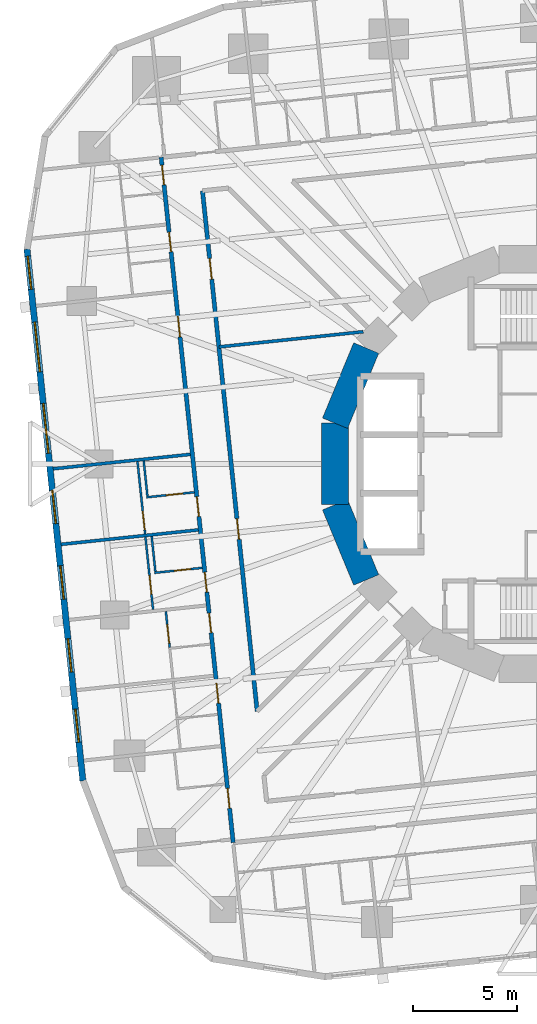
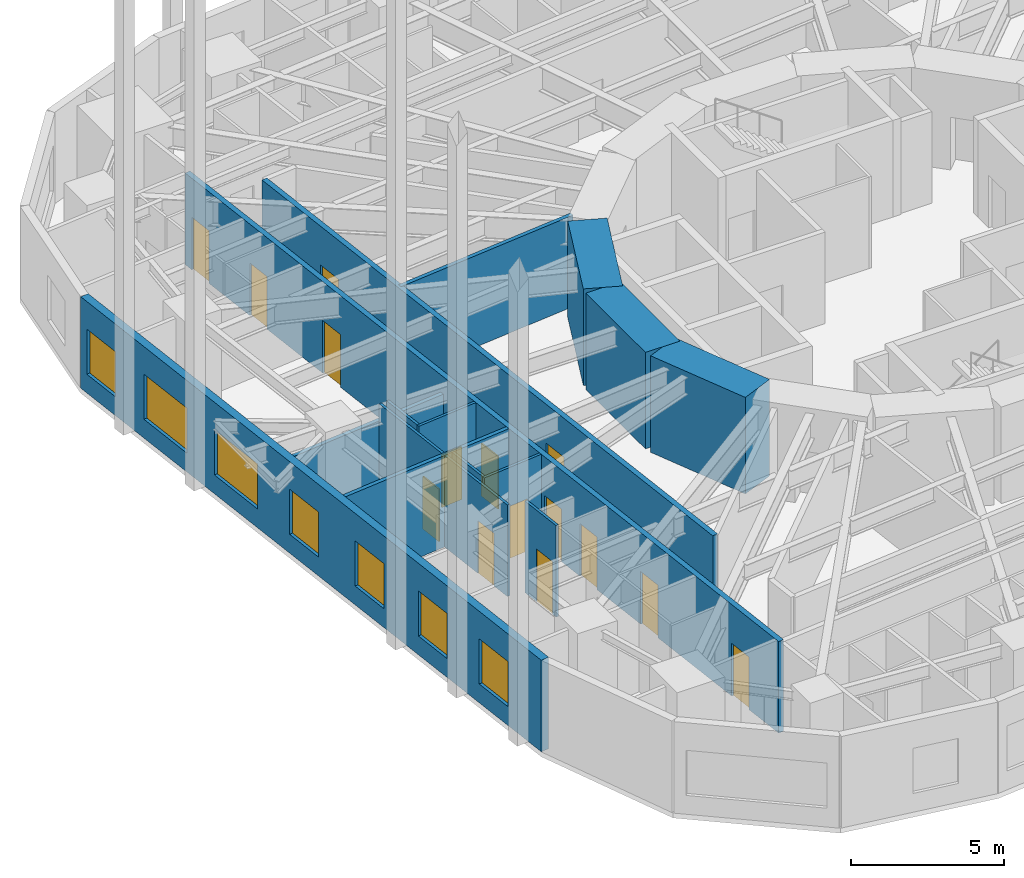
# One storey, part 6 of 13: 16 walls, 15 doors, 7 windows, 22 openings.
"""IFC4 building model written with IfcOpenShell, lengths in metres."""

from ifc_helpers import new_model, si_unit, direction, frame, frame_2d, origin, place, context, subcontext, project, spatial, rectangle, extrude, material, layer, layer_set, type_object, element, fill, save


model = new_model("IFC4")

# Units and contexts
model_context = context("Model", 3, precision=1e-05, world=origin(), true_north=direction((0.0, 1.0)))
body_context = subcontext(model_context, "Body", "Model", "MODEL_VIEW")
ifc_project = project(units=[si_unit("LENGTHUNIT", "METRE"), si_unit("AREAUNIT", "SQUARE_METRE"), si_unit("VOLUMEUNIT", "CUBIC_METRE"), si_unit("PLANEANGLEUNIT", "RADIAN"), si_unit("MASSUNIT", "GRAM", prefix="KILO")], contexts=[model_context])

# Site, building, storey
site_placement = place(None, origin())
site = spatial("IfcSite", under=ifc_project, at=site_placement, CompositionType="ELEMENT")
building_placement = place(site_placement, origin())
building = spatial("IfcBuilding", under=site, at=building_placement, Name="Nakasero Lantern House", CompositionType="ELEMENT")
storey_placement = place(building_placement, frame((0.0, 0.0, 60.5)))
storey = spatial("IfcBuildingStorey", under=building, at=storey_placement, Name="L14", CompositionType="ELEMENT", Elevation=60.5)

# Walls
ifc_material_1 = material(Name="Concrete C50/60", Category="concrete")
ifc_layer_1 = layer(ifc_material_1, 1.300048828125)
ifc_layer_set_1 = layer_set([ifc_layer_1], Name="Core wall 1300")
wall_type_1 = type_object("IfcWallType", Name="Core wall 1300", PredefinedType="SHEAR", material=ifc_layer_set_1)
for number, where, z_axis, x_axis, name in (
    (1, (-8.314697265625, 5.5556640625, 0.0), (0.0, 0.0, 1.0), (-0.382690736062, -0.923876507187, 0.0), "Core wall L14 facet 7"),
    (2, (-9.807861328125, 1.950927734375, 0.0), (0.0, 0.0, 1.0), (0.0, -1.0, 0.0), "Core wall L14 facet 8"),
    (3, (-9.807861328125, -1.950927734375, 0.0), (0.0, 0.0, 1.0), (0.382690736062, -0.923876507187, 0.0), "Core wall L14 facet 9"),
):
    element("IfcWall", number, at=place(storey_placement, frame(where, z_axis=z_axis, x_axis=x_axis)), inside=storey, type_object=wall_type_1, Name=name, PredefinedType="SHEAR", context=body_context, shape_type="SweptSolid", body=[
        extrude(rectangle(XDim=3.90185546875, YDim=1.300048828125, at=frame_2d((1.950927734375, 0.0))), origin(), (0.0, 0.0, 1.0), 3.85009765625),
    ])

# Wall, openings, doors
ifc_material_2 = material(Name="Blockwork", Category="masonry")
ifc_layer_2 = layer(ifc_material_2, 0.199951171875)
ifc_layer_set_2 = layer_set([ifc_layer_2], Name="Corridor wall 200")
wall_type_2 = type_object("IfcWallType", Name="Corridor wall 200", PredefinedType="PARTITIONING", material=ifc_layer_set_2)
wall_1_placement = place(storey_placement, frame((-18.13427734375, 14.684814453125, 0.0), z_axis=(0.0, 0.0, 1.0), x_axis=(0.10452958258, -0.994521777723, 0.0)))
wall_1 = element("IfcWall", 4, at=wall_1_placement, inside=storey, type_object=wall_type_2, Name="Corridor wall L14 CW2", PredefinedType="PARTITIONING", context=body_context, shape_type="SweptSolid", body=[
    extrude(rectangle(XDim=32.999755859375, YDim=0.199951171875, at=frame_2d((16.5, 0.0))), origin(), (0.0, 0.0, 1.0), 3.64990234375),
])
opening_1_placement = place(wall_1_placement, frame((0.375, 0.0, 0.0)))
opening_1 = element("IfcOpeningElement", 5, at=opening_1_placement, cuts=wall_1, Name="Opening D01", PredefinedType="OPENING", context=body_context, shape_type="SweptSolid", body=[
    extrude(rectangle(XDim=0.949951171875, YDim=2.10009765625, at=frame_2d((0.47509765625, 1.050048828125))), frame((0.0, 0.119873046875, 0.0), z_axis=(0.0, -1.0, 0.0), x_axis=(1.0, 0.0, 0.0)), (0.0, 0.0, 1.0), 0.239990234375),
])
opening_2_placement = place(wall_1_placement, frame((3.600341796875, 0.0, 0.0)))
opening_2 = element("IfcOpeningElement", 6, at=opening_2_placement, cuts=wall_1, Name="Opening D01", PredefinedType="OPENING", context=body_context, shape_type="SweptSolid", body=[
    extrude(rectangle(XDim=0.949951171875, YDim=2.10009765625, at=frame_2d((0.47509765625, 1.050048828125))), frame((0.0, 0.119873046875, 0.0), z_axis=(0.0, -1.0, 0.0), x_axis=(1.0, 0.0, 0.0)), (0.0, 0.0, 1.0), 0.239990234375),
])
opening_3_placement = place(wall_1_placement, frame((16.3427734375, 0.0, 0.0)))
opening_3 = element("IfcOpeningElement", 7, at=opening_3_placement, cuts=wall_1, Name="Opening D01", PredefinedType="OPENING", context=body_context, shape_type="SweptSolid", body=[
    extrude(rectangle(XDim=0.949951171875, YDim=2.10009765625, at=frame_2d((0.47509765625, 1.050048828125))), frame((0.0, 0.119873046875, 0.0), z_axis=(0.0, -1.0, 0.0), x_axis=(1.0, 0.0, 0.0)), (0.0, 0.0, 1.0), 0.239990234375),
])
opening_4_placement = place(wall_1_placement, frame((19.9814453125, 0.0, 0.0)))
opening_4 = element("IfcOpeningElement", 8, at=opening_4_placement, cuts=wall_1, Name="Opening D01", PredefinedType="OPENING", context=body_context, shape_type="SweptSolid", body=[
    extrude(rectangle(XDim=0.949951171875, YDim=2.10009765625, at=frame_2d((0.47509765625, 1.050048828125))), frame((0.0, 0.119873046875, 0.0), z_axis=(0.0, -1.0, 0.0), x_axis=(1.0, 0.0, 0.0)), (0.0, 0.0, 1.0), 0.239990234375),
])
opening_5_placement = place(wall_1_placement, frame((21.945068359375, 0.0, 0.0)))
opening_5 = element("IfcOpeningElement", 9, at=opening_5_placement, cuts=wall_1, Name="Opening D01", PredefinedType="OPENING", context=body_context, shape_type="SweptSolid", body=[
    extrude(rectangle(XDim=0.949951171875, YDim=2.10009765625, at=frame_2d((0.47509765625, 1.050048828125))), frame((0.0, 0.119873046875, 0.0), z_axis=(0.0, -1.0, 0.0), x_axis=(1.0, 0.0, 0.0)), (0.0, 0.0, 1.0), 0.239990234375),
])
opening_6_placement = place(wall_1_placement, frame((25.33056640625, 0.0, 0.0)))
opening_6 = element("IfcOpeningElement", 10, at=opening_6_placement, cuts=wall_1, Name="Opening D01", PredefinedType="OPENING", context=body_context, shape_type="SweptSolid", body=[
    extrude(rectangle(XDim=0.949951171875, YDim=2.10009765625, at=frame_2d((0.47509765625, 1.050048828125))), frame((0.0, 0.119873046875, 0.0), z_axis=(0.0, -1.0, 0.0), x_axis=(1.0, 0.0, 0.0)), (0.0, 0.0, 1.0), 0.239990234375),
])
opening_7_placement = place(wall_1_placement, frame((30.39111328125, 0.0, 0.0)))
opening_7 = element("IfcOpeningElement", 11, at=opening_7_placement, cuts=wall_1, Name="Opening D01", PredefinedType="OPENING", context=body_context, shape_type="SweptSolid", body=[
    extrude(rectangle(XDim=0.949951171875, YDim=2.10009765625, at=frame_2d((0.47509765625, 1.050048828125))), frame((0.0, 0.119873046875, 0.0), z_axis=(0.0, -1.0, 0.0), x_axis=(1.0, 0.0, 0.0)), (0.0, 0.0, 1.0), 0.239990234375),
])
opening_8_placement = place(wall_1_placement, frame((7.650634765625, 0.0, 0.0)))
opening_8 = element("IfcOpeningElement", 12, at=opening_8_placement, cuts=wall_1, Name="Opening D03", PredefinedType="OPENING", context=body_context, shape_type="SweptSolid", body=[
    extrude(rectangle(XDim=1.0, YDim=2.10009765625, at=frame_2d((0.5, 1.050048828125))), frame((0.0, 0.119873046875, 0.0), z_axis=(0.0, -1.0, 0.0), x_axis=(1.0, 0.0, 0.0)), (0.0, 0.0, 1.0), 0.239990234375),
])
ifc_material_3 = material(Name="Timber C24", Category="wood")
door_type_1 = type_object("IfcDoorType", Name="Bedroom door FD30S 950", OperationType="SINGLE_SWING_LEFT", PredefinedType="DOOR", material=ifc_material_3)
door_1_placement = place(opening_1_placement, origin())
door_1 = element("IfcDoor", 13, at=door_1_placement, inside=storey, type_object=door_type_1, Name="Door L14 D2-00", OperationType="SINGLE_SWING_LEFT", OverallHeight=2.10009765625, OverallWidth=0.949951171875, PredefinedType="DOOR", context=body_context, shape_type="SweptSolid", body=[
    extrude(rectangle(XDim=0.949951171875, YDim=2.10009765625, at=frame_2d((0.47509765625, 1.050048828125))), frame((0.0, 0.02490234375, 0.0), z_axis=(0.0, -1.0, 0.0), x_axis=(1.0, 0.0, 0.0)), (0.0, 0.0, 1.0), 0.050048828125),
])
fill(opening_1, door_1)
door_2_placement = place(opening_2_placement, origin())
door_2 = element("IfcDoor", 14, at=door_2_placement, inside=storey, type_object=door_type_1, Name="Door L14 D2-01", OperationType="SINGLE_SWING_LEFT", OverallHeight=2.10009765625, OverallWidth=0.949951171875, PredefinedType="DOOR", context=body_context, shape_type="SweptSolid", body=[
    extrude(rectangle(XDim=0.949951171875, YDim=2.10009765625, at=frame_2d((0.47509765625, 1.050048828125))), frame((0.0, 0.02490234375, 0.0), z_axis=(0.0, -1.0, 0.0), x_axis=(1.0, 0.0, 0.0)), (0.0, 0.0, 1.0), 0.050048828125),
])
fill(opening_2, door_2)
door_3_placement = place(opening_3_placement, origin())
door_3 = element("IfcDoor", 15, at=door_3_placement, inside=storey, type_object=door_type_1, Name="Door L14 D2-04", OperationType="SINGLE_SWING_RIGHT", OverallHeight=2.10009765625, OverallWidth=0.949951171875, PredefinedType="DOOR", context=body_context, shape_type="SweptSolid", body=[
    extrude(rectangle(XDim=0.949951171875, YDim=2.10009765625, at=frame_2d((0.47509765625, 1.050048828125))), frame((0.0, 0.02490234375, 0.0), z_axis=(0.0, -1.0, 0.0), x_axis=(1.0, 0.0, 0.0)), (0.0, 0.0, 1.0), 0.050048828125),
])
fill(opening_3, door_3)
door_4_placement = place(opening_4_placement, origin())
door_4 = element("IfcDoor", 16, at=door_4_placement, inside=storey, type_object=door_type_1, Name="Door L14 D2-05", OperationType="SINGLE_SWING_RIGHT", OverallHeight=2.10009765625, OverallWidth=0.949951171875, PredefinedType="DOOR", context=body_context, shape_type="SweptSolid", body=[
    extrude(rectangle(XDim=0.949951171875, YDim=2.10009765625, at=frame_2d((0.47509765625, 1.050048828125))), frame((0.0, 0.02490234375, 0.0), z_axis=(0.0, -1.0, 0.0), x_axis=(1.0, 0.0, 0.0)), (0.0, 0.0, 1.0), 0.050048828125),
])
fill(opening_4, door_4)
door_5_placement = place(opening_5_placement, origin())
door_5 = element("IfcDoor", 17, at=door_5_placement, inside=storey, type_object=door_type_1, Name="Door L14 D2-06", OperationType="SINGLE_SWING_RIGHT", OverallHeight=2.10009765625, OverallWidth=0.949951171875, PredefinedType="DOOR", context=body_context, shape_type="SweptSolid", body=[
    extrude(rectangle(XDim=0.949951171875, YDim=2.10009765625, at=frame_2d((0.47509765625, 1.050048828125))), frame((0.0, 0.02490234375, 0.0), z_axis=(0.0, -1.0, 0.0), x_axis=(1.0, 0.0, 0.0)), (0.0, 0.0, 1.0), 0.050048828125),
])
fill(opening_5, door_5)
door_6_placement = place(opening_6_placement, origin())
door_6 = element("IfcDoor", 18, at=door_6_placement, inside=storey, type_object=door_type_1, Name="Door L14 D2-07", OperationType="SINGLE_SWING_RIGHT", OverallHeight=2.10009765625, OverallWidth=0.949951171875, PredefinedType="DOOR", context=body_context, shape_type="SweptSolid", body=[
    extrude(rectangle(XDim=0.949951171875, YDim=2.10009765625, at=frame_2d((0.47509765625, 1.050048828125))), frame((0.0, 0.02490234375, 0.0), z_axis=(0.0, -1.0, 0.0), x_axis=(1.0, 0.0, 0.0)), (0.0, 0.0, 1.0), 0.050048828125),
])
fill(opening_6, door_6)
door_7_placement = place(opening_7_placement, origin())
door_7 = element("IfcDoor", 19, at=door_7_placement, inside=storey, type_object=door_type_1, Name="Door L14 D2-08", OperationType="SINGLE_SWING_RIGHT", OverallHeight=2.10009765625, OverallWidth=0.949951171875, PredefinedType="DOOR", context=body_context, shape_type="SweptSolid", body=[
    extrude(rectangle(XDim=0.949951171875, YDim=2.10009765625, at=frame_2d((0.47509765625, 1.050048828125))), frame((0.0, 0.02490234375, 0.0), z_axis=(0.0, -1.0, 0.0), x_axis=(1.0, 0.0, 0.0)), (0.0, 0.0, 1.0), 0.050048828125),
])
fill(opening_7, door_7)
ifc_material_4 = material(Name="Timber C24", Category="wood")
door_type_2 = type_object("IfcDoorType", Name="Lounge door FD30S 1000", OperationType="SINGLE_SWING_LEFT", PredefinedType="DOOR", material=ifc_material_4)
door_8_placement = place(opening_8_placement, origin())
door_8 = element("IfcDoor", 20, at=door_8_placement, inside=storey, type_object=door_type_2, Name="Door L14 DK2", OperationType="SINGLE_SWING_LEFT", OverallHeight=2.10009765625, OverallWidth=1.0, PredefinedType="DOOR", context=body_context, shape_type="SweptSolid", body=[
    extrude(rectangle(XDim=1.0, YDim=2.10009765625, at=frame_2d((0.5, 1.050048828125))), frame((0.0, 0.02490234375, 0.0), z_axis=(0.0, -1.0, 0.0), x_axis=(1.0, 0.0, 0.0)), (0.0, 0.0, 1.0), 0.050048828125),
])
fill(opening_8, door_8)

wall_2_placement = place(storey_placement, frame((-16.156005859375, 13.0830078125, 0.0), z_axis=(0.0, 0.0, 1.0), x_axis=(0.104525036292, -0.994522255552, 0.0)))
wall_2 = element("IfcWall", 21, at=wall_2_placement, inside=storey, type_object=wall_type_2, Name="Corridor wall L14 IW2-0", PredefinedType="PARTITIONING", context=body_context, shape_type="SweptSolid", body=[
    extrude(rectangle(XDim=25.059814453125, YDim=0.199951171875, at=frame_2d((12.52978515625, 0.0))), origin(), (0.0, 0.0, 1.0), 3.64990234375),
])
opening_9_placement = place(wall_2_placement, frame((3.259033203125, 0.0, 0.0)))
opening_9 = element("IfcOpeningElement", 22, at=opening_9_placement, cuts=wall_2, Name="Opening D07", PredefinedType="OPENING", context=body_context, shape_type="SweptSolid", body=[
    extrude(rectangle(XDim=1.0, YDim=2.10009765625, at=frame_2d((0.5, 1.050048828125))), frame((0.0, 0.119873046875, 0.0), z_axis=(0.0, -1.0, 0.0), x_axis=(1.0, 0.0, 0.0)), (0.0, 0.0, 1.0), 0.239990234375),
])
opening_10_placement = place(wall_2_placement, frame((15.788818359375, 0.0, 0.0)))
opening_10 = element("IfcOpeningElement", 23, at=opening_10_placement, cuts=wall_2, Name="Opening D07", PredefinedType="OPENING", context=body_context, shape_type="SweptSolid", body=[
    extrude(rectangle(XDim=1.0, YDim=2.10009765625, at=frame_2d((0.5, 1.050048828125))), frame((0.0, 0.119873046875, 0.0), z_axis=(0.0, -1.0, 0.0), x_axis=(1.0, 0.0, 0.0)), (0.0, 0.0, 1.0), 0.239990234375),
])
ifc_material_5 = material(Name="Timber C24", Category="wood")
door_type_3 = type_object("IfcDoorType", Name="Room door FD30S 1000", OperationType="SINGLE_SWING_LEFT", PredefinedType="DOOR", material=ifc_material_5)
door_9_placement = place(opening_9_placement, origin())
door_9 = element("IfcDoor", 24, at=door_9_placement, inside=storey, type_object=door_type_3, Name="Door L14 DI1", OperationType="SINGLE_SWING_LEFT", OverallHeight=2.10009765625, OverallWidth=1.0, PredefinedType="DOOR", context=body_context, shape_type="SweptSolid", body=[
    extrude(rectangle(XDim=1.0, YDim=2.10009765625, at=frame_2d((0.5, 1.050048828125))), frame((0.0, 0.02490234375, 0.0), z_axis=(0.0, -1.0, 0.0), x_axis=(1.0, 0.0, 0.0)), (0.0, 0.0, 1.0), 0.050048828125),
])
fill(opening_9, door_9)
door_10_placement = place(opening_10_placement, origin())
door_10 = element("IfcDoor", 25, at=door_10_placement, inside=storey, type_object=door_type_3, Name="Door L14 DI1S", OperationType="SINGLE_SWING_RIGHT", OverallHeight=2.10009765625, OverallWidth=1.0, PredefinedType="DOOR", context=body_context, shape_type="SweptSolid", body=[
    extrude(rectangle(XDim=1.0, YDim=2.10009765625, at=frame_2d((0.5, 1.050048828125))), frame((0.0, 0.02490234375, 0.0), z_axis=(0.0, -1.0, 0.0), x_axis=(1.0, 0.0, 0.0)), (0.0, 0.0, 1.0), 0.050048828125),
])
fill(opening_10, door_10)

# Wall, opening, door
ifc_material_6 = material(Name="Blockwork", Category="masonry")
ifc_layer_3 = layer(ifc_material_6, 0.10009765625)
ifc_layer_set_3 = layer_set([ifc_layer_3], Name="En-suite wall 100")
wall_type_3 = type_object("IfcWallType", Name="En-suite wall 100", PredefinedType="PARTITIONING", material=ifc_layer_set_3)
wall_3_placement = place(storey_placement, frame((-16.549072265625, -1.35498046875, 0.0), z_axis=(0.0, 0.0, 1.0), x_axis=(-0.994518822602, -0.104557694553, 0.0)))
wall_3 = element("IfcWall", 26, at=wall_3_placement, inside=storey, type_object=wall_type_3, Name="En-suite wall L14 ES2-04", PredefinedType="PARTITIONING", context=body_context, shape_type="SweptSolid", body=[
    extrude(rectangle(XDim=2.300048828125, YDim=0.10009765625, at=frame_2d((1.14990234375, 0.0))), origin(), (0.0, 0.0, 1.0), 3.64990234375),
])
opening_11_placement = place(wall_3_placement, frame((0.550048828125, 0.0, 0.0)))
opening_11 = element("IfcOpeningElement", 27, at=opening_11_placement, cuts=wall_3, Name="Opening D02", PredefinedType="OPENING", context=body_context, shape_type="SweptSolid", body=[
    extrude(rectangle(XDim=0.800048828125, YDim=2.10009765625, at=frame_2d((0.39990234375, 1.050048828125))), frame((0.0, 0.070068359375, 0.0), z_axis=(0.0, -1.0, 0.0), x_axis=(1.0, 0.0, 0.0)), (0.0, 0.0, 1.0), 0.14013671875),
])
ifc_material_7 = material(Name="Timber C24", Category="wood")
door_type_4 = type_object("IfcDoorType", Name="En-suite door 800", OperationType="SINGLE_SWING_RIGHT", PredefinedType="DOOR", material=ifc_material_7)
door_11_placement = place(opening_11_placement, origin())
door_11 = element("IfcDoor", 28, at=door_11_placement, inside=storey, type_object=door_type_4, Name="Door L14 DE2-04", OperationType="SINGLE_SWING_LEFT", OverallHeight=2.10009765625, OverallWidth=0.800048828125, PredefinedType="DOOR", context=body_context, shape_type="SweptSolid", body=[
    extrude(rectangle(XDim=0.800048828125, YDim=2.10009765625, at=frame_2d((0.39990234375, 1.050048828125))), frame((0.0, 0.02490234375, 0.0), z_axis=(0.0, -1.0, 0.0), x_axis=(1.0, 0.0, 0.0)), (0.0, 0.0, 1.0), 0.050048828125),
])
fill(opening_11, door_11)

# Wall
wall_4_placement = place(storey_placement, frame((-18.9697265625, 0.150146484375, 0.0), z_axis=(0.0, 0.0, 1.0), x_axis=(0.104550220202, -0.994519608382, 0.0)))
element("IfcWall", 29, at=wall_4_placement, inside=storey, type_object=wall_type_3, Name="En-suite wall L14 EE2-04", PredefinedType="PARTITIONING", context=body_context, shape_type="SweptSolid", body=[
    extrude(rectangle(XDim=1.699951171875, YDim=0.10009765625, at=frame_2d((0.85009765625, 0.0))), origin(), (0.0, 0.0, 1.0), 3.64990234375),
])

# Wall, opening, door
wall_5_placement = place(storey_placement, frame((-16.168701171875, -4.9736328125, 0.0), z_axis=(0.0, 0.0, 1.0), x_axis=(-0.994518822602, -0.104557694553, 0.0)))
wall_5 = element("IfcWall", 30, at=wall_5_placement, inside=storey, type_object=wall_type_3, Name="En-suite wall L14 ES2-05", PredefinedType="PARTITIONING", context=body_context, shape_type="SweptSolid", body=[
    extrude(rectangle(XDim=2.300048828125, YDim=0.10009765625, at=frame_2d((1.14990234375, 0.0))), origin(), (0.0, 0.0, 1.0), 3.64990234375),
])
opening_12_placement = place(wall_5_placement, frame((0.550048828125, 0.0, 0.0)))
opening_12 = element("IfcOpeningElement", 31, at=opening_12_placement, cuts=wall_5, Name="Opening D02", PredefinedType="OPENING", context=body_context, shape_type="SweptSolid", body=[
    extrude(rectangle(XDim=0.800048828125, YDim=2.10009765625, at=frame_2d((0.39990234375, 1.050048828125))), frame((0.0, 0.070068359375, 0.0), z_axis=(0.0, -1.0, 0.0), x_axis=(1.0, 0.0, 0.0)), (0.0, 0.0, 1.0), 0.14013671875),
])
door_12_placement = place(opening_12_placement, origin())
door_12 = element("IfcDoor", 32, at=door_12_placement, inside=storey, type_object=door_type_4, Name="Door L14 DE2-05", OperationType="SINGLE_SWING_LEFT", OverallHeight=2.10009765625, OverallWidth=0.800048828125, PredefinedType="DOOR", context=body_context, shape_type="SweptSolid", body=[
    extrude(rectangle(XDim=0.800048828125, YDim=2.10009765625, at=frame_2d((0.39990234375, 1.050048828125))), frame((0.0, 0.02490234375, 0.0), z_axis=(0.0, -1.0, 0.0), x_axis=(1.0, 0.0, 0.0)), (0.0, 0.0, 1.0), 0.050048828125),
])
fill(opening_12, door_12)

# Wall
wall_6_placement = place(storey_placement, frame((-18.58935546875, -3.468505859375, 0.0), z_axis=(0.0, 0.0, 1.0), x_axis=(0.104550220202, -0.994519608382, 0.0)))
element("IfcWall", 33, at=wall_6_placement, inside=storey, type_object=wall_type_3, Name="En-suite wall L14 EE2-05", PredefinedType="PARTITIONING", context=body_context, shape_type="SweptSolid", body=[
    extrude(rectangle(XDim=1.699951171875, YDim=0.10009765625, at=frame_2d((0.85009765625, 0.0))), origin(), (0.0, 0.0, 1.0), 3.64990234375),
])

# Wall, opening, door
wall_7_placement = place(storey_placement, frame((-19.26806640625, 0.118896484375, 0.0), z_axis=(0.0, 0.0, 1.0), x_axis=(0.104553638592, -0.994519249013, 0.0)))
wall_7 = element("IfcWall", 34, at=wall_7_placement, inside=storey, type_object=wall_type_3, Name="En-suite wall L14 EL2-04", PredefinedType="PARTITIONING", context=body_context, shape_type="SweptSolid", body=[
    extrude(rectangle(XDim=3.488525390625, YDim=0.10009765625, at=frame_2d((1.744140625, 0.0))), origin(), (0.0, 0.0, 1.0), 3.64990234375),
])
opening_13_placement = place(wall_7_placement, frame((2.388671875, 0.0, 0.0)))
opening_13 = element("IfcOpeningElement", 35, at=opening_13_placement, cuts=wall_7, Name="Opening D17", PredefinedType="OPENING", context=body_context, shape_type="SweptSolid", body=[
    extrude(rectangle(XDim=0.89990234375, YDim=2.10009765625, at=frame_2d((0.449951171875, 1.050048828125))), frame((0.0, 0.070068359375, 0.0), z_axis=(0.0, -1.0, 0.0), x_axis=(1.0, 0.0, 0.0)), (0.0, 0.0, 1.0), 0.14013671875),
])
ifc_material_8 = material(Name="Timber C24", Category="wood")
door_type_5 = type_object("IfcDoorType", Name="Bedroom door FD30S 900", OperationType="SINGLE_SWING_LEFT", PredefinedType="DOOR", material=ifc_material_8)
door_13_placement = place(opening_13_placement, origin())
door_13 = element("IfcDoor", 36, at=door_13_placement, inside=storey, type_object=door_type_5, Name="Door L14 DL2-04", OperationType="SINGLE_SWING_RIGHT", OverallHeight=2.10009765625, OverallWidth=0.89990234375, PredefinedType="DOOR", context=body_context, shape_type="SweptSolid", body=[
    extrude(rectangle(XDim=0.89990234375, YDim=2.10009765625, at=frame_2d((0.449951171875, 1.050048828125))), frame((0.0, 0.02490234375, 0.0), z_axis=(0.0, -1.0, 0.0), x_axis=(1.0, 0.0, 0.0)), (0.0, 0.0, 1.0), 0.050048828125),
])
fill(opening_13, door_13)

wall_8_placement = place(storey_placement, frame((-18.8876953125, -3.5, 0.0), z_axis=(0.0, 0.0, 1.0), x_axis=(0.104553638592, -0.994519249013, 0.0)))
wall_8 = element("IfcWall", 37, at=wall_8_placement, inside=storey, type_object=wall_type_3, Name="En-suite wall L14 EL2-05", PredefinedType="PARTITIONING", context=body_context, shape_type="SweptSolid", body=[
    extrude(rectangle(XDim=3.488525390625, YDim=0.10009765625, at=frame_2d((1.744140625, 0.0))), origin(), (0.0, 0.0, 1.0), 3.64990234375),
])
opening_14_placement = place(wall_8_placement, frame((1.85009765625, 0.0, 0.0)))
opening_14 = element("IfcOpeningElement", 38, at=opening_14_placement, cuts=wall_8, Name="Opening D17", PredefinedType="OPENING", context=body_context, shape_type="SweptSolid", body=[
    extrude(rectangle(XDim=0.89990234375, YDim=2.10009765625, at=frame_2d((0.449951171875, 1.050048828125))), frame((0.0, 0.070068359375, 0.0), z_axis=(0.0, -1.0, 0.0), x_axis=(1.0, 0.0, 0.0)), (0.0, 0.0, 1.0), 0.14013671875),
])
door_14_placement = place(opening_14_placement, origin())
door_14 = element("IfcDoor", 39, at=door_14_placement, inside=storey, type_object=door_type_5, Name="Door L14 DL2-05", OperationType="SINGLE_SWING_RIGHT", OverallHeight=2.10009765625, OverallWidth=0.89990234375, PredefinedType="DOOR", context=body_context, shape_type="SweptSolid", body=[
    extrude(rectangle(XDim=0.89990234375, YDim=2.10009765625, at=frame_2d((0.449951171875, 1.050048828125))), frame((0.0, 0.02490234375, 0.0), z_axis=(0.0, -1.0, 0.0), x_axis=(1.0, 0.0, 0.0)), (0.0, 0.0, 1.0), 0.050048828125),
])
fill(opening_14, door_14)

wall_9_placement = place(storey_placement, frame((-17.91064453125, -7.055908203125, 0.0), z_axis=(0.0, 0.0, 1.0), x_axis=(0.10451636674, -0.99452316669, 0.0)))
wall_9 = element("IfcWall", 40, at=wall_9_placement, inside=storey, type_object=wall_type_3, Name="En-suite wall L14 EL2-06", PredefinedType="PARTITIONING", context=body_context, shape_type="SweptSolid", body=[
    extrude(rectangle(XDim=1.735595703125, YDim=0.10009765625, at=frame_2d((0.86767578125, 0.0))), origin(), (0.0, 0.0, 1.0), 3.64990234375),
])
opening_15_placement = place(wall_9_placement, frame((0.635498046875, 0.0, 0.0)))
opening_15 = element("IfcOpeningElement", 41, at=opening_15_placement, cuts=wall_9, Name="Opening D17", PredefinedType="OPENING", context=body_context, shape_type="SweptSolid", body=[
    extrude(rectangle(XDim=0.89990234375, YDim=2.10009765625, at=frame_2d((0.449951171875, 1.050048828125))), frame((0.0, 0.070068359375, 0.0), z_axis=(0.0, -1.0, 0.0), x_axis=(1.0, 0.0, 0.0)), (0.0, 0.0, 1.0), 0.14013671875),
])
door_15_placement = place(opening_15_placement, origin())
door_15 = element("IfcDoor", 42, at=door_15_placement, inside=storey, type_object=door_type_5, Name="Door L14 DL2-06", OperationType="SINGLE_SWING_RIGHT", OverallHeight=2.10009765625, OverallWidth=0.89990234375, PredefinedType="DOOR", context=body_context, shape_type="SweptSolid", body=[
    extrude(rectangle(XDim=0.89990234375, YDim=2.10009765625, at=frame_2d((0.449951171875, 1.050048828125))), frame((0.0, 0.02490234375, 0.0), z_axis=(0.0, -1.0, 0.0), x_axis=(1.0, 0.0, 0.0)), (0.0, 0.0, 1.0), 0.050048828125),
])
fill(opening_15, door_15)

# Wall, openings, windows
ifc_material_9 = material(Name="Aluminium rainscreen on blockwork", Category="masonry")
ifc_layer_4 = layer(ifc_material_9, 0.300048828125)
ifc_layer_set_4 = layer_set([ifc_layer_4], Name="Facade wall 300")
wall_type_4 = type_object("IfcWallType", Name="Facade wall 300", PredefinedType="SOLIDWALL", material=ifc_layer_set_4)
wall_10_placement = place(storey_placement, frame((-24.56005859375, 10.2890625, 0.0), z_axis=(0.0, 0.0, 1.0), x_axis=(0.104532378096, -0.994521483895, 0.0)))
wall_10 = element("IfcWall", 43, at=wall_10_placement, inside=storey, type_object=wall_type_4, Name="Facade wall L14 FW2S", PredefinedType="SOLIDWALL", context=body_context, shape_type="SweptSolid", body=[
    extrude(rectangle(XDim=25.599853515625, YDim=0.300048828125, at=frame_2d((12.7998046875, 0.0))), origin(), (0.0, 0.0, 1.0), 3.64990234375),
])
opening_16_placement = place(wall_10_placement, frame((0.337890625, 0.0, 0.75)))
opening_16 = element("IfcOpeningElement", 44, at=opening_16_placement, cuts=wall_10, Name="Opening W01", PredefinedType="OPENING", context=body_context, shape_type="SweptSolid", body=[
    extrude(rectangle(XDim=1.60009765625, YDim=1.800048828125, at=frame_2d((0.800048828125, 0.89990234375))), frame((0.0, 0.169921875, 0.0), z_axis=(0.0, -1.0, 0.0), x_axis=(1.0, 0.0, 0.0)), (0.0, 0.0, 1.0), 0.340087890625),
])
opening_17_placement = place(wall_10_placement, frame((11.612060546875, 0.0, 0.75)))
opening_17 = element("IfcOpeningElement", 45, at=opening_17_placement, cuts=wall_10, Name="Opening W01", PredefinedType="OPENING", context=body_context, shape_type="SweptSolid", body=[
    extrude(rectangle(XDim=1.60009765625, YDim=1.800048828125, at=frame_2d((0.800048828125, 0.89990234375))), frame((0.0, 0.169921875, 0.0), z_axis=(0.0, -1.0, 0.0), x_axis=(1.0, 0.0, 0.0)), (0.0, 0.0, 1.0), 0.340087890625),
])
opening_18_placement = place(wall_10_placement, frame((15.250732421875, 0.0, 0.75)))
opening_18 = element("IfcOpeningElement", 46, at=opening_18_placement, cuts=wall_10, Name="Opening W01", PredefinedType="OPENING", context=body_context, shape_type="SweptSolid", body=[
    extrude(rectangle(XDim=1.60009765625, YDim=1.800048828125, at=frame_2d((0.800048828125, 0.89990234375))), frame((0.0, 0.169921875, 0.0), z_axis=(0.0, -1.0, 0.0), x_axis=(1.0, 0.0, 0.0)), (0.0, 0.0, 1.0), 0.340087890625),
])
opening_19_placement = place(wall_10_placement, frame((18.7626953125, 0.0, 0.75)))
opening_19 = element("IfcOpeningElement", 47, at=opening_19_placement, cuts=wall_10, Name="Opening W01", PredefinedType="OPENING", context=body_context, shape_type="SweptSolid", body=[
    extrude(rectangle(XDim=1.60009765625, YDim=1.800048828125, at=frame_2d((0.800048828125, 0.89990234375))), frame((0.0, 0.169921875, 0.0), z_axis=(0.0, -1.0, 0.0), x_axis=(1.0, 0.0, 0.0)), (0.0, 0.0, 1.0), 0.340087890625),
])
opening_20_placement = place(wall_10_placement, frame((22.1484375, 0.0, 0.75)))
opening_20 = element("IfcOpeningElement", 48, at=opening_20_placement, cuts=wall_10, Name="Opening W01", PredefinedType="OPENING", context=body_context, shape_type="SweptSolid", body=[
    extrude(rectangle(XDim=1.60009765625, YDim=1.800048828125, at=frame_2d((0.800048828125, 0.89990234375))), frame((0.0, 0.169921875, 0.0), z_axis=(0.0, -1.0, 0.0), x_axis=(1.0, 0.0, 0.0)), (0.0, 0.0, 1.0), 0.340087890625),
])
opening_21_placement = place(wall_10_placement, frame((3.51123046875, 0.0, 0.75)))
opening_21 = element("IfcOpeningElement", 49, at=opening_21_placement, cuts=wall_10, Name="Opening W03", PredefinedType="OPENING", context=body_context, shape_type="SweptSolid", body=[
    extrude(rectangle(XDim=2.39990234375, YDim=1.800048828125, at=frame_2d((1.199951171875, 0.89990234375))), frame((0.0, 0.169921875, 0.0), z_axis=(0.0, -1.0, 0.0), x_axis=(1.0, 0.0, 0.0)), (0.0, 0.0, 1.0), 0.340087890625),
])
opening_22_placement = place(wall_10_placement, frame((7.432373046875, 0.0, 0.75)))
opening_22 = element("IfcOpeningElement", 50, at=opening_22_placement, cuts=wall_10, Name="Opening W03", PredefinedType="OPENING", context=body_context, shape_type="SweptSolid", body=[
    extrude(rectangle(XDim=2.39990234375, YDim=1.800048828125, at=frame_2d((1.199951171875, 0.89990234375))), frame((0.0, 0.169921875, 0.0), z_axis=(0.0, -1.0, 0.0), x_axis=(1.0, 0.0, 0.0)), (0.0, 0.0, 1.0), 0.340087890625),
])
ifc_material_10 = material(Name="Aluminium 6063-T6 and glass", Category="aluminium")
window_type_1 = type_object("IfcWindowType", Name="Bedroom window 1600x1800", PartitioningType="SINGLE_PANEL", PredefinedType="WINDOW", material=ifc_material_10)
window_1_placement = place(opening_16_placement, origin())
window_1 = element("IfcWindow", 51, at=window_1_placement, inside=storey, type_object=window_type_1, Name="Window L14 WN2-01", OverallHeight=1.800048828125, OverallWidth=1.60009765625, PartitioningType="SINGLE_PANEL", PredefinedType="WINDOW", context=body_context, shape_type="SweptSolid", body=[
    extrude(rectangle(XDim=1.60009765625, YDim=1.800048828125, at=frame_2d((0.800048828125, 0.89990234375))), frame((0.0, 0.030029296875, 0.0), z_axis=(0.0, -1.0, 0.0), x_axis=(1.0, 0.0, 0.0)), (0.0, 0.0, 1.0), 0.06005859375),
])
fill(opening_16, window_1)
window_2_placement = place(opening_17_placement, origin())
window_2 = element("IfcWindow", 52, at=window_2_placement, inside=storey, type_object=window_type_1, Name="Window L14 WN2-04", OverallHeight=1.800048828125, OverallWidth=1.60009765625, PartitioningType="SINGLE_PANEL", PredefinedType="WINDOW", context=body_context, shape_type="SweptSolid", body=[
    extrude(rectangle(XDim=1.60009765625, YDim=1.800048828125, at=frame_2d((0.800048828125, 0.89990234375))), frame((0.0, 0.030029296875, 0.0), z_axis=(0.0, -1.0, 0.0), x_axis=(1.0, 0.0, 0.0)), (0.0, 0.0, 1.0), 0.06005859375),
])
fill(opening_17, window_2)
window_3_placement = place(opening_18_placement, origin())
window_3 = element("IfcWindow", 53, at=window_3_placement, inside=storey, type_object=window_type_1, Name="Window L14 WN2-05", OverallHeight=1.800048828125, OverallWidth=1.60009765625, PartitioningType="SINGLE_PANEL", PredefinedType="WINDOW", context=body_context, shape_type="SweptSolid", body=[
    extrude(rectangle(XDim=1.60009765625, YDim=1.800048828125, at=frame_2d((0.800048828125, 0.89990234375))), frame((0.0, 0.030029296875, 0.0), z_axis=(0.0, -1.0, 0.0), x_axis=(1.0, 0.0, 0.0)), (0.0, 0.0, 1.0), 0.06005859375),
])
fill(opening_18, window_3)
window_4_placement = place(opening_19_placement, origin())
window_4 = element("IfcWindow", 54, at=window_4_placement, inside=storey, type_object=window_type_1, Name="Window L14 WN2-06", OverallHeight=1.800048828125, OverallWidth=1.60009765625, PartitioningType="SINGLE_PANEL", PredefinedType="WINDOW", context=body_context, shape_type="SweptSolid", body=[
    extrude(rectangle(XDim=1.60009765625, YDim=1.800048828125, at=frame_2d((0.800048828125, 0.89990234375))), frame((0.0, 0.030029296875, 0.0), z_axis=(0.0, -1.0, 0.0), x_axis=(1.0, 0.0, 0.0)), (0.0, 0.0, 1.0), 0.06005859375),
])
fill(opening_19, window_4)
window_5_placement = place(opening_20_placement, origin())
window_5 = element("IfcWindow", 55, at=window_5_placement, inside=storey, type_object=window_type_1, Name="Window L14 WN2-07", OverallHeight=1.800048828125, OverallWidth=1.60009765625, PartitioningType="SINGLE_PANEL", PredefinedType="WINDOW", context=body_context, shape_type="SweptSolid", body=[
    extrude(rectangle(XDim=1.60009765625, YDim=1.800048828125, at=frame_2d((0.800048828125, 0.89990234375))), frame((0.0, 0.030029296875, 0.0), z_axis=(0.0, -1.0, 0.0), x_axis=(1.0, 0.0, 0.0)), (0.0, 0.0, 1.0), 0.06005859375),
])
fill(opening_20, window_5)
ifc_material_11 = material(Name="Aluminium 6063-T6 and glass", Category="aluminium")
window_type_2 = type_object("IfcWindowType", Name="Lounge window 2400x1800", PartitioningType="SINGLE_PANEL", PredefinedType="WINDOW", material=ifc_material_11)
window_6_placement = place(opening_21_placement, origin())
window_6 = element("IfcWindow", 56, at=window_6_placement, inside=storey, type_object=window_type_2, Name="Window L14 WK2", OverallHeight=1.800048828125, OverallWidth=2.39990234375, PartitioningType="SINGLE_PANEL", PredefinedType="WINDOW", context=body_context, shape_type="SweptSolid", body=[
    extrude(rectangle(XDim=2.39990234375, YDim=1.800048828125, at=frame_2d((1.199951171875, 0.89990234375))), frame((0.0, 0.030029296875, 0.0), z_axis=(0.0, -1.0, 0.0), x_axis=(1.0, 0.0, 0.0)), (0.0, 0.0, 1.0), 0.06005859375),
])
fill(opening_21, window_6)
window_7_placement = place(opening_22_placement, origin())
window_7 = element("IfcWindow", 57, at=window_7_placement, inside=storey, type_object=window_type_2, Name="Window L14 WL2", OverallHeight=1.800048828125, OverallWidth=2.39990234375, PartitioningType="SINGLE_PANEL", PredefinedType="WINDOW", context=body_context, shape_type="SweptSolid", body=[
    extrude(rectangle(XDim=2.39990234375, YDim=1.800048828125, at=frame_2d((1.199951171875, 0.89990234375))), frame((0.0, 0.030029296875, 0.0), z_axis=(0.0, -1.0, 0.0), x_axis=(1.0, 0.0, 0.0)), (0.0, 0.0, 1.0), 0.06005859375),
])
fill(opening_22, window_7)

# Walls
ifc_material_12 = material(Name="Blockwork", Category="masonry")
ifc_layer_5 = layer(ifc_material_12, 0.14990234375)
ifc_layer_set_5 = layer_set([ifc_layer_5], Name="Party wall 150")
wall_type_5 = type_object("IfcWallType", Name="Party wall 150", PredefinedType="PARTITIONING", material=ifc_layer_set_5)
wall_11_placement = place(storey_placement, frame((-16.73974609375, 0.4599609375, 0.0), z_axis=(0.0, 0.0, 1.0), x_axis=(-0.994521251134, -0.104534592565, 0.0)))
element("IfcWall", 58, at=wall_11_placement, inside=storey, type_object=wall_type_5, Name="Party wall L14 PW2-04", PredefinedType="PARTITIONING", context=body_context, shape_type="SweptSolid", body=[
    extrude(rectangle(XDim=6.60009765625, YDim=0.14990234375, at=frame_2d((3.300048828125, 0.0))), origin(), (0.0, 0.0, 1.0), 2.966552734375),
])
wall_12_placement = place(storey_placement, frame((-16.359375, -3.15869140625, 0.0), z_axis=(0.0, 0.0, 1.0), x_axis=(-0.994521251134, -0.104534592565, 0.0)))
element("IfcWall", 59, at=wall_12_placement, inside=storey, type_object=wall_type_5, Name="Party wall L14 PW2-05", PredefinedType="PARTITIONING", context=body_context, shape_type="SweptSolid", body=[
    extrude(rectangle(XDim=6.60009765625, YDim=0.14990234375, at=frame_2d((3.300048828125, 0.0))), origin(), (0.0, 0.0, 1.0), 3.64990234375),
])
wall_13_placement = place(storey_placement, frame((-8.456787109375, 6.332763671875, 0.0), z_axis=(0.0, 0.0, 1.0), x_axis=(-0.99452275928, -0.104520243374, 0.0)))
element("IfcWall", 60, at=wall_13_placement, inside=storey, type_object=wall_type_5, Name="Party wall L14 IS1", PredefinedType="PARTITIONING", context=body_context, shape_type="SweptSolid", body=[
    extrude(rectangle(XDim=6.951416015625, YDim=0.14990234375, at=frame_2d((3.4755859375, 0.0))), origin(), (0.0, 0.0, 1.0), 3.64990234375),
])

save(model, "model.ifc")
